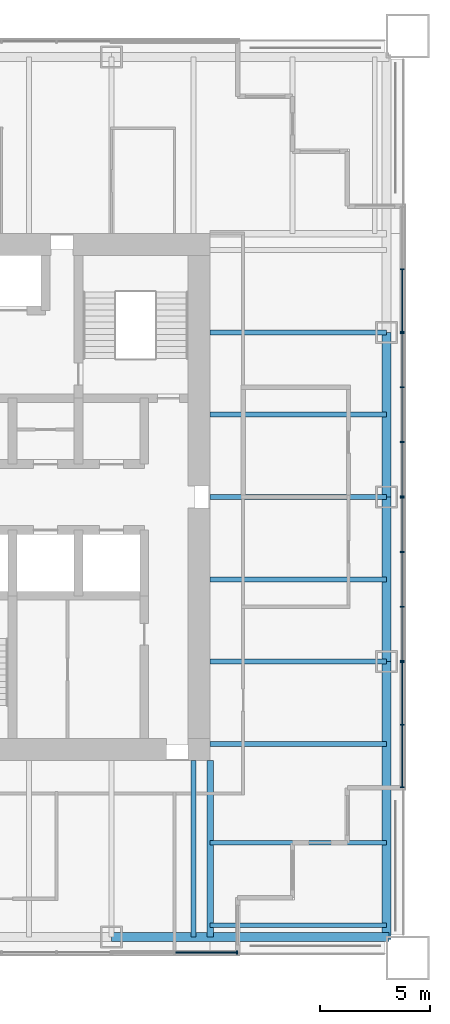
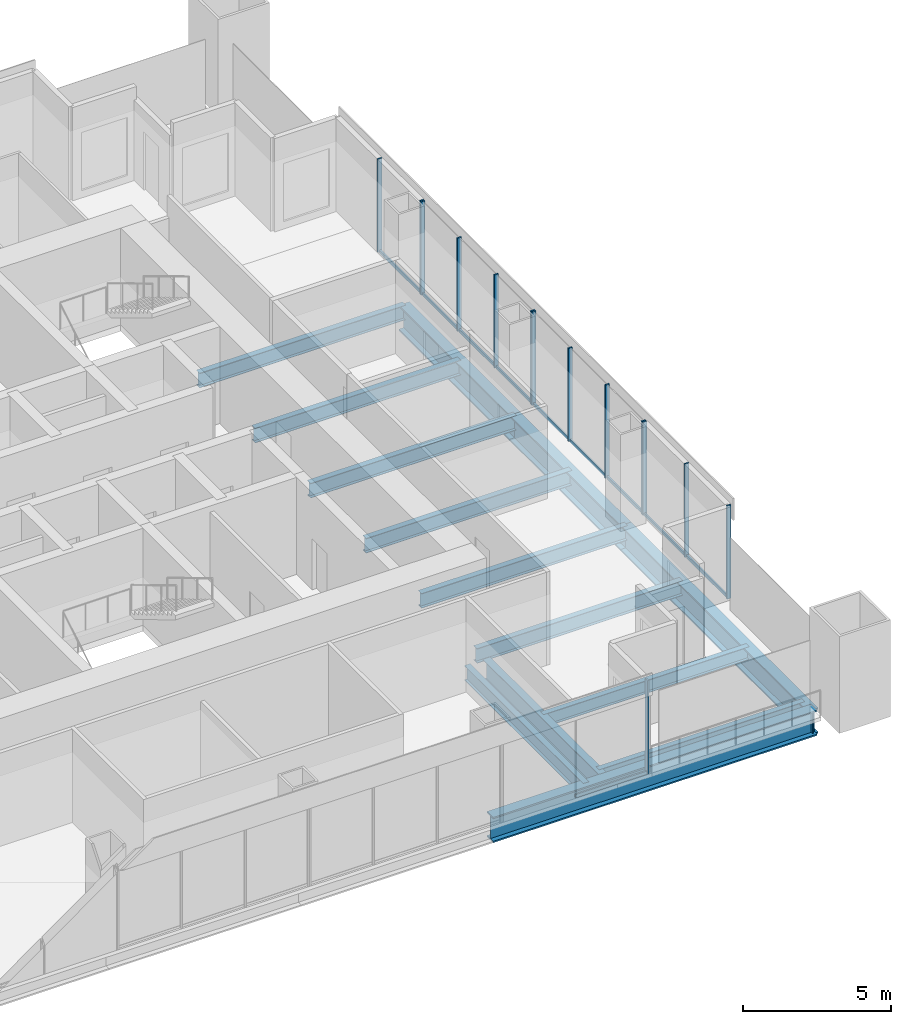
# One storey, part 5 of 14: 24 members, 14 beams, 5 elements without a shape of their own.
"""IFC4 building model written with IfcOpenShell, lengths in metres."""

from ifc_helpers import new_model, si_unit, direction, frame, origin, origin_2d, place, context, subcontext, project, spatial, rectangle, i_section, extrude, material, material_profile, profile_set, type_object, element, aggregate, save


model = new_model("IFC4")

# Units and contexts
model_context = context("Model", 3, precision=1e-05, world=origin(), true_north=direction((0.0, 1.0)))
body_context = subcontext(model_context, "Body", "Model", "MODEL_VIEW")
ifc_project = project(units=[si_unit("LENGTHUNIT", "METRE"), si_unit("AREAUNIT", "SQUARE_METRE"), si_unit("VOLUMEUNIT", "CUBIC_METRE"), si_unit("PLANEANGLEUNIT", "RADIAN"), si_unit("MASSUNIT", "GRAM", prefix="KILO")], contexts=[model_context])

# Site, building, storey
site_placement = place(None, origin())
site = spatial("IfcSite", under=ifc_project, at=site_placement, CompositionType="ELEMENT")
building_placement = place(site_placement, origin())
building = spatial("IfcBuilding", under=site, at=building_placement, Name="Tarangal Relay Tower", CompositionType="ELEMENT")
storey_placement = place(building_placement, frame((0.0, 0.0, 287.89990234375)))
storey = spatial("IfcBuildingStorey", under=building, at=storey_placement, Name="L63", CompositionType="ELEMENT", Elevation=287.89990234375)

# Beams
ifc_material_1 = material(Name="Steel ASTM A992", Category="steel")
ifc_material_profile_1 = material_profile(ifc_material_1, i_section(OverallWidth=0.209228515625, OverallDepth=0.533447265625, WebThickness=0.01025390625, FlangeThickness=0.015625, at=origin_2d()), Name="W21X62")
ifc_profile_set_1 = profile_set([ifc_material_profile_1], Name="Steel ASTM A992")
beam_type_1 = type_object("IfcBeamType", Name="Corner beam W21X62", PredefinedType="JOIST", material=ifc_profile_set_1)
for number, where, z_axis, x_axis, name in (
    (1, (12.0, -15.75, -0.41650390625), (1.0, 0.0, 0.0), (0.0, 1.0, 0.0), "Corner beam CB12 E L63"),
    (2, (12.0, -19.5, -0.41650390625), (1.0, 0.0, 0.0), (0.0, 1.0, 0.0), "Corner beam CB12 E L63"),
):
    element("IfcBeam", number, at=place(storey_placement, frame(where, z_axis=z_axis, x_axis=x_axis)), inside=storey, type_object=beam_type_1, Name=name, PredefinedType="JOIST", context=body_context, shape_type="SweptSolid", body=[
        extrude(i_section(OverallWidth=0.209228515625, OverallDepth=0.533447265625, WebThickness=0.01025390625, FlangeThickness=0.015625, at=origin_2d()), origin(), (0.0, 0.0, 1.0), 8.0400390625),
    ])
ifc_material_profile_2 = material_profile(ifc_material_1, i_section(OverallWidth=0.2919921875, OverallDepth=0.8408203125, WebThickness=0.0146484375, FlangeThickness=0.021728515625, at=origin_2d()), Name="W33X130")
ifc_profile_set_2 = profile_set([ifc_material_profile_2], Name="Steel ASTM A992")
beam_type_2 = type_object("IfcBeamType", Name="Corner girder W33X130", PredefinedType="BEAM", material=ifc_profile_set_2)
beam_placement = place(storey_placement, frame((12.0, -12.0, -0.5703125), z_axis=(0.0, -1.0, 0.0), x_axis=(1.0, 0.0, 0.0)))
element("IfcBeam", 3, at=beam_placement, inside=storey, type_object=beam_type_2, Name="Corner girder CG5 E L63", PredefinedType="BEAM", context=body_context, shape_type="SweptSolid", body=[
    extrude(i_section(OverallWidth=0.2919921875, OverallDepth=0.8408203125, WebThickness=0.0146484375, FlangeThickness=0.021728515625, at=origin_2d()), origin(), (0.0, 0.0, 1.0), 8.0400390625),
])
ifc_material_profile_3 = material_profile(ifc_material_1, i_section(OverallWidth=0.41162109375, OverallDepth=1.049072265625, WebThickness=0.033935546875, FlangeThickness=0.059814453125, at=origin_2d()), Name="W40X431")
ifc_profile_set_3 = profile_set([ifc_material_profile_3], Name="Steel ASTM A992")
beam_type_3 = type_object("IfcBeamType", Name="Edge girder W40X431", PredefinedType="SPANDREL", material=ifc_profile_set_3)
for number, where, z_axis, x_axis, name in (
    (4, (20.0400390625, 7.5, -0.67431640625), (0.0, -1.0, 0.0), (1.0, 0.0, 0.0), "Edge girder EG1 E L63"),
    (5, (20.0400390625, 0.0, -0.67431640625), (0.0, -1.0, 0.0), (1.0, 0.0, 0.0), "Edge girder EG1 E L63"),
):
    element("IfcBeam", number, at=place(storey_placement, frame(where, z_axis=z_axis, x_axis=x_axis)), inside=storey, type_object=beam_type_3, Name=name, PredefinedType="SPANDREL", context=body_context, shape_type="SweptSolid", body=[
        extrude(i_section(OverallWidth=0.41162109375, OverallDepth=1.049072265625, WebThickness=0.033935546875, FlangeThickness=0.059814453125, at=origin_2d()), origin(), (0.0, 0.0, 1.0), 7.5),
    ])
for number, where, z_axis, x_axis, name in (
    (6, (20.0400390625, -7.5, -0.67431640625), (0.0, -1.0, 0.0), (1.0, 0.0, 0.0), "Edge girder EG1 E L63"),
    (7, (20.14990234375, -20.0400390625, -0.67431640625), (-1.0, 0.0, 0.0), (0.0, -1.0, 0.0), "Edge girder EG1 S L63"),
):
    element("IfcBeam", number, at=place(storey_placement, frame(where, z_axis=z_axis, x_axis=x_axis)), inside=storey, type_object=beam_type_3, Name=name, PredefinedType="SPANDREL", context=body_context, shape_type="SweptSolid", body=[
        extrude(i_section(OverallWidth=0.41162109375, OverallDepth=1.049072265625, WebThickness=0.033935546875, FlangeThickness=0.059814453125, at=origin_2d()), origin(), (0.0, 0.0, 1.0), 12.64990234375),
    ])
ifc_material_profile_4 = material_profile(ifc_material_1, i_section(OverallWidth=0.228271484375, OverallDepth=0.607177734375, WebThickness=0.01123046875, FlangeThickness=0.017333984375, at=origin_2d()), Name="W24X76")
ifc_profile_set_4 = profile_set([ifc_material_profile_4], Name="Steel ASTM A992")
beam_type_4 = type_object("IfcBeamType", Name="Floor beam W24X76", PredefinedType="BEAM", material=ifc_profile_set_4)
for number, where, z_axis, x_axis, name in (
    (8, (12.0, 7.5, -0.453369140625), (1.0, 0.0, 0.0), (0.0, 1.0, 0.0), "Floor beam RB5 E L63"),
    (9, (12.0, 3.75, -0.453369140625), (1.0, 0.0, 0.0), (0.0, 1.0, 0.0), "Floor beam RB5 E L63"),
    (10, (12.0, 0.0, -0.453369140625), (1.0, 0.0, 0.0), (0.0, 1.0, 0.0), "Floor beam RB5 E L63"),
    (11, (12.0, -3.75, -0.453369140625), (1.0, 0.0, 0.0), (0.0, 1.0, 0.0), "Floor beam RB5 E L63"),
    (12, (12.0, -7.5, -0.453369140625), (1.0, 0.0, 0.0), (0.0, 1.0, 0.0), "Floor beam RB5 E L63"),
    (13, (12.0, -11.25, -0.453369140625), (1.0, 0.0, 0.0), (0.0, 1.0, 0.0), "Floor beam RB5 E L63"),
    (14, (11.25, -12.0, -0.453369140625), (0.0, -1.0, 0.0), (1.0, 0.0, 0.0), "Floor beam RB5 S L63"),
):
    element("IfcBeam", number, at=place(storey_placement, frame(where, z_axis=z_axis, x_axis=x_axis)), inside=storey, type_object=beam_type_4, Name=name, PredefinedType="BEAM", context=body_context, shape_type="SweptSolid", body=[
        extrude(i_section(OverallWidth=0.228271484375, OverallDepth=0.607177734375, WebThickness=0.01123046875, FlangeThickness=0.017333984375, at=origin_2d()), origin(), (0.0, 0.0, 1.0), 8.0400390625),
    ])

# Curtain wall, members
ifc_material_2 = material(Name="Unitised curtain wall, dark glass and black aluminium", Category="aluminium")
curtain_wall_type_1 = type_object("IfcCurtainWallType", Name="Curtain wall CW-B", PredefinedType="USERDEFINED", material=ifc_material_2)
curtain_wall_1_placement = place(storey_placement, origin())
curtain_wall_1 = element("IfcCurtainWall", 15, at=curtain_wall_1_placement, inside=storey, type_object=curtain_wall_type_1, Name="Curtain wall CW-B E facade L63", ObjectType="UNITISED CURTAIN WALL", PredefinedType="USERDEFINED")
ifc_material_3 = material(Name="Black anodised aluminium mullion", Category="aluminium")
ifc_material_profile_5 = material_profile(ifc_material_3, rectangle(XDim=0.159912109375, YDim=0.06005859375, at=origin_2d()), Name="CW-BM 60X160")
ifc_profile_set_5 = profile_set([ifc_material_profile_5], Name="Black anodised aluminium mullion")
member_type_1 = type_object("IfcMemberType", Name="Mullion CW-B 60 x 160", PredefinedType="MULLION", material=ifc_profile_set_5)
member_1_placement = place(storey_placement, frame((20.75, 7.469970703125, 0.0), z_axis=(0.0, 0.0, 1.0), x_axis=(1.0, 0.0, 0.0)))
member_1 = element("IfcMember", 16, at=member_1_placement, type_object=member_type_1, Name="CW-B mullion 1", PredefinedType="MULLION", context=body_context, shape_type="SweptSolid", body=[
    extrude(rectangle(XDim=0.159912109375, YDim=0.06005859375, at=origin_2d()), origin(), (0.0, 0.0, 1.0), 3.85009765625),
])
member_2_placement = place(storey_placement, frame((20.75, 5.0, 0.0), z_axis=(0.0, 0.0, 1.0), x_axis=(1.0, 0.0, 0.0)))
member_2 = element("IfcMember", 17, at=member_2_placement, type_object=member_type_1, Name="CW-B mullion 2", PredefinedType="MULLION", context=body_context, shape_type="SweptSolid", body=[
    extrude(rectangle(XDim=0.159912109375, YDim=0.06005859375, at=origin_2d()), origin(), (0.0, 0.0, 1.0), 3.85009765625),
])
member_3_placement = place(storey_placement, frame((20.75, 2.5, 0.0), z_axis=(0.0, 0.0, 1.0), x_axis=(1.0, 0.0, 0.0)))
member_3 = element("IfcMember", 18, at=member_3_placement, type_object=member_type_1, Name="CW-B mullion 3", PredefinedType="MULLION", context=body_context, shape_type="SweptSolid", body=[
    extrude(rectangle(XDim=0.159912109375, YDim=0.06005859375, at=origin_2d()), origin(), (0.0, 0.0, 1.0), 3.85009765625),
])
member_4_placement = place(storey_placement, frame((20.75, 0.030029296875, 0.0), z_axis=(0.0, 0.0, 1.0), x_axis=(1.0, 0.0, 0.0)))
member_4 = element("IfcMember", 19, at=member_4_placement, type_object=member_type_1, Name="CW-B mullion 4", PredefinedType="MULLION", context=body_context, shape_type="SweptSolid", body=[
    extrude(rectangle(XDim=0.159912109375, YDim=0.06005859375, at=origin_2d()), origin(), (0.0, 0.0, 1.0), 3.85009765625),
])

curtain_wall_2_placement = place(storey_placement, origin())
curtain_wall_2 = element("IfcCurtainWall", 20, at=curtain_wall_2_placement, inside=storey, type_object=curtain_wall_type_1, Name="Curtain wall CW-B E facade L63", ObjectType="UNITISED CURTAIN WALL", PredefinedType="USERDEFINED")
member_5_placement = place(storey_placement, frame((20.75, -0.030029296875, 0.0), z_axis=(0.0, 0.0, 1.0), x_axis=(1.0, 0.0, 0.0)))
member_5 = element("IfcMember", 21, at=member_5_placement, type_object=member_type_1, Name="CW-B mullion 1", PredefinedType="MULLION", context=body_context, shape_type="SweptSolid", body=[
    extrude(rectangle(XDim=0.159912109375, YDim=0.06005859375, at=origin_2d()), origin(), (0.0, 0.0, 1.0), 3.85009765625),
])
member_6_placement = place(storey_placement, frame((20.75, -2.5, 0.0), z_axis=(0.0, 0.0, 1.0), x_axis=(1.0, 0.0, 0.0)))
member_6 = element("IfcMember", 22, at=member_6_placement, type_object=member_type_1, Name="CW-B mullion 2", PredefinedType="MULLION", context=body_context, shape_type="SweptSolid", body=[
    extrude(rectangle(XDim=0.159912109375, YDim=0.06005859375, at=origin_2d()), origin(), (0.0, 0.0, 1.0), 3.85009765625),
])
member_7_placement = place(storey_placement, frame((20.75, -5.0, 0.0), z_axis=(0.0, 0.0, 1.0), x_axis=(1.0, 0.0, 0.0)))
member_7 = element("IfcMember", 23, at=member_7_placement, type_object=member_type_1, Name="CW-B mullion 3", PredefinedType="MULLION", context=body_context, shape_type="SweptSolid", body=[
    extrude(rectangle(XDim=0.159912109375, YDim=0.06005859375, at=origin_2d()), origin(), (0.0, 0.0, 1.0), 3.85009765625),
])
member_8_placement = place(storey_placement, frame((20.75, -7.469970703125, 0.0), z_axis=(0.0, 0.0, 1.0), x_axis=(1.0, 0.0, 0.0)))
member_8 = element("IfcMember", 24, at=member_8_placement, type_object=member_type_1, Name="CW-B mullion 4", PredefinedType="MULLION", context=body_context, shape_type="SweptSolid", body=[
    extrude(rectangle(XDim=0.159912109375, YDim=0.06005859375, at=origin_2d()), origin(), (0.0, 0.0, 1.0), 3.85009765625),
])

ifc_material_4 = material(Name="Unitised curtain wall frame, black aluminium, with metal clad infill walls", Category="aluminium")
curtain_wall_type_2 = type_object("IfcCurtainWallType", Name="Curtain wall CW-BO", PredefinedType="USERDEFINED", material=ifc_material_4)
curtain_wall_3_placement = place(storey_placement, origin())
curtain_wall_3 = element("IfcCurtainWall", 25, at=curtain_wall_3_placement, inside=storey, type_object=curtain_wall_type_2, Name="Curtain wall CW-BO E facade L63", ObjectType="UNITISED CURTAIN WALL", PredefinedType="USERDEFINED")
ifc_material_profile_6 = material_profile(ifc_material_3, rectangle(XDim=0.159912109375, YDim=0.06005859375, at=origin_2d()), Name="CW-BOM 60X160")
ifc_profile_set_6 = profile_set([ifc_material_profile_6], Name="Black anodised aluminium mullion")
member_type_2 = type_object("IfcMemberType", Name="Mullion CW-BO 60 x 160", PredefinedType="MULLION", material=ifc_profile_set_6)
member_9_placement = place(storey_placement, frame((20.75, 10.375, 0.0), z_axis=(0.0, 0.0, 1.0), x_axis=(1.0, 0.0, 0.0)))
member_9 = element("IfcMember", 26, at=member_9_placement, type_object=member_type_2, Name="CW-BO mullion 2", PredefinedType="MULLION", context=body_context, shape_type="SweptSolid", body=[
    extrude(rectangle(XDim=0.159912109375, YDim=0.06005859375, at=origin_2d()), origin(), (0.0, 0.0, 1.0), 3.85009765625),
])
member_10_placement = place(storey_placement, frame((20.75, 7.530029296875, 0.0), z_axis=(0.0, 0.0, 1.0), x_axis=(1.0, 0.0, 0.0)))
member_10 = element("IfcMember", 27, at=member_10_placement, type_object=member_type_2, Name="CW-BO mullion 3", PredefinedType="MULLION", context=body_context, shape_type="SweptSolid", body=[
    extrude(rectangle(XDim=0.159912109375, YDim=0.06005859375, at=origin_2d()), origin(), (0.0, 0.0, 1.0), 3.85009765625),
])

curtain_wall_4_placement = place(storey_placement, origin())
curtain_wall_4 = element("IfcCurtainWall", 28, at=curtain_wall_4_placement, inside=storey, type_object=curtain_wall_type_2, Name="Curtain wall CW-BO E facade L63", ObjectType="UNITISED CURTAIN WALL", PredefinedType="USERDEFINED")
member_11_placement = place(storey_placement, frame((20.75, -7.530029296875, 0.0), z_axis=(0.0, 0.0, 1.0), x_axis=(1.0, 0.0, 0.0)))
member_11 = element("IfcMember", 29, at=member_11_placement, type_object=member_type_2, Name="CW-BO mullion 1", PredefinedType="MULLION", context=body_context, shape_type="SweptSolid", body=[
    extrude(rectangle(XDim=0.159912109375, YDim=0.06005859375, at=origin_2d()), origin(), (0.0, 0.0, 1.0), 3.85009765625),
])
member_12_placement = place(storey_placement, frame((20.75, -10.375, 0.0), z_axis=(0.0, 0.0, 1.0), x_axis=(1.0, 0.0, 0.0)))
member_12 = element("IfcMember", 30, at=member_12_placement, type_object=member_type_2, Name="CW-BO mullion 2", PredefinedType="MULLION", context=body_context, shape_type="SweptSolid", body=[
    extrude(rectangle(XDim=0.159912109375, YDim=0.06005859375, at=origin_2d()), origin(), (0.0, 0.0, 1.0), 3.85009765625),
])
member_13_placement = place(storey_placement, frame((20.75, -13.219970703125, 0.0), z_axis=(0.0, 0.0, 1.0), x_axis=(1.0, 0.0, 0.0)))
member_13 = element("IfcMember", 31, at=member_13_placement, type_object=member_type_2, Name="CW-BO mullion 3", PredefinedType="MULLION", context=body_context, shape_type="SweptSolid", body=[
    extrude(rectangle(XDim=0.159912109375, YDim=0.06005859375, at=origin_2d()), origin(), (0.0, 0.0, 1.0), 3.85009765625),
])

# Curtain wall, member
curtain_wall_5_placement = place(storey_placement, origin())
curtain_wall_5 = element("IfcCurtainWall", 32, at=curtain_wall_5_placement, inside=storey, type_object=curtain_wall_type_2, Name="Curtain wall CW-BO S facade L63", ObjectType="UNITISED CURTAIN WALL", PredefinedType="USERDEFINED")
member_14_placement = place(storey_placement, frame((13.219970703125, -20.75, 0.0), z_axis=(0.0, 0.0, 1.0), x_axis=(0.0, -1.0, 0.0)))
member_14 = element("IfcMember", 33, at=member_14_placement, type_object=member_type_2, Name="CW-BO mullion 1", PredefinedType="MULLION", context=body_context, shape_type="SweptSolid", body=[
    extrude(rectangle(XDim=0.159912109375, YDim=0.06005859375, at=origin_2d()), origin(), (0.0, 0.0, 1.0), 3.85009765625),
])

# Member
ifc_material_5 = material(Name="Black anodised aluminium transom", Category="aluminium")
ifc_material_profile_7 = material_profile(ifc_material_5, rectangle(XDim=0.06005859375, YDim=0.1298828125, at=origin_2d()), Name="CW-BT 60X130")
ifc_profile_set_7 = profile_set([ifc_material_profile_7], Name="Black anodised aluminium transom")
member_type_3 = type_object("IfcMemberType", Name="Transom CW-B 60 x 130", PredefinedType="USERDEFINED", material=ifc_profile_set_7)
member_15_placement = place(storey_placement, frame((20.75, 7.43994140625, 0.030029296875), z_axis=(0.0, -1.0, 0.0), x_axis=(1.0, 0.0, 0.0)))
member_15 = element("IfcMember", 34, at=member_15_placement, type_object=member_type_3, Name="CW-B transom 1.1", ObjectType="TRANSOM", PredefinedType="USERDEFINED", context=body_context, shape_type="SweptSolid", body=[
    extrude(rectangle(XDim=0.06005859375, YDim=0.1298828125, at=origin_2d()), origin(), (0.0, 0.0, 1.0), 2.409912109375),
])

member_16_placement = place(storey_placement, frame((20.75, 4.969970703125, 0.030029296875), z_axis=(0.0, -1.0, 0.0), x_axis=(1.0, 0.0, 0.0)))
member_16 = element("IfcMember", 35, at=member_16_placement, type_object=member_type_3, Name="CW-B transom 2.1", ObjectType="TRANSOM", PredefinedType="USERDEFINED", context=body_context, shape_type="SweptSolid", body=[
    extrude(rectangle(XDim=0.06005859375, YDim=0.1298828125, at=origin_2d()), origin(), (0.0, 0.0, 1.0), 2.43994140625),
])

member_17_placement = place(storey_placement, frame((20.75, 2.469970703125, 0.030029296875), z_axis=(0.0, -1.0, 0.0), x_axis=(1.0, 0.0, 0.0)))
member_17 = element("IfcMember", 36, at=member_17_placement, type_object=member_type_3, Name="CW-B transom 3.1", ObjectType="TRANSOM", PredefinedType="USERDEFINED", context=body_context, shape_type="SweptSolid", body=[
    extrude(rectangle(XDim=0.06005859375, YDim=0.1298828125, at=origin_2d()), origin(), (0.0, 0.0, 1.0), 2.409912109375),
])

aggregate(curtain_wall_1, [member_1, member_2, member_3, member_4, member_15, member_16, member_17])

member_18_placement = place(storey_placement, frame((20.75, -0.06005859375, 0.030029296875), z_axis=(0.0, -1.0, 0.0), x_axis=(1.0, 0.0, 0.0)))
member_18 = element("IfcMember", 37, at=member_18_placement, type_object=member_type_3, Name="CW-B transom 1.1", ObjectType="TRANSOM", PredefinedType="USERDEFINED", context=body_context, shape_type="SweptSolid", body=[
    extrude(rectangle(XDim=0.06005859375, YDim=0.1298828125, at=origin_2d()), origin(), (0.0, 0.0, 1.0), 2.409912109375),
])

member_19_placement = place(storey_placement, frame((20.75, -2.530029296875, 0.030029296875), z_axis=(0.0, -1.0, 0.0), x_axis=(1.0, 0.0, 0.0)))
member_19 = element("IfcMember", 38, at=member_19_placement, type_object=member_type_3, Name="CW-B transom 2.1", ObjectType="TRANSOM", PredefinedType="USERDEFINED", context=body_context, shape_type="SweptSolid", body=[
    extrude(rectangle(XDim=0.06005859375, YDim=0.1298828125, at=origin_2d()), origin(), (0.0, 0.0, 1.0), 2.43994140625),
])

member_20_placement = place(storey_placement, frame((20.75, -5.030029296875, 0.030029296875), z_axis=(0.0, -1.0, 0.0), x_axis=(1.0, 0.0, 0.0)))
member_20 = element("IfcMember", 39, at=member_20_placement, type_object=member_type_3, Name="CW-B transom 3.1", ObjectType="TRANSOM", PredefinedType="USERDEFINED", context=body_context, shape_type="SweptSolid", body=[
    extrude(rectangle(XDim=0.06005859375, YDim=0.1298828125, at=origin_2d()), origin(), (0.0, 0.0, 1.0), 2.409912109375),
])

aggregate(curtain_wall_2, [member_5, member_6, member_7, member_8, member_18, member_19, member_20])

ifc_material_profile_8 = material_profile(ifc_material_5, rectangle(XDim=0.06005859375, YDim=0.1298828125, at=origin_2d()), Name="CW-BOT 60X130")
ifc_profile_set_8 = profile_set([ifc_material_profile_8], Name="Black anodised aluminium transom")
member_type_4 = type_object("IfcMemberType", Name="Transom CW-BO 60 x 130", PredefinedType="USERDEFINED", material=ifc_profile_set_8)
member_21_placement = place(storey_placement, frame((20.75, 10.344970703125, 0.030029296875), z_axis=(0.0, -1.0, 0.0), x_axis=(1.0, 0.0, 0.0)))
member_21 = element("IfcMember", 40, at=member_21_placement, type_object=member_type_4, Name="CW-BO transom 2.1", ObjectType="TRANSOM", PredefinedType="USERDEFINED", context=body_context, shape_type="SweptSolid", body=[
    extrude(rectangle(XDim=0.06005859375, YDim=0.1298828125, at=origin_2d()), origin(), (0.0, 0.0, 1.0), 2.784912109375),
])

aggregate(curtain_wall_3, [member_9, member_10, member_21])

member_22_placement = place(storey_placement, frame((20.75, -7.56005859375, 0.030029296875), z_axis=(0.0, -1.0, 0.0), x_axis=(1.0, 0.0, 0.0)))
member_22 = element("IfcMember", 41, at=member_22_placement, type_object=member_type_4, Name="CW-BO transom 1.1", ObjectType="TRANSOM", PredefinedType="USERDEFINED", context=body_context, shape_type="SweptSolid", body=[
    extrude(rectangle(XDim=0.06005859375, YDim=0.1298828125, at=origin_2d()), origin(), (0.0, 0.0, 1.0), 2.784912109375),
])

member_23_placement = place(storey_placement, frame((20.75, -10.405029296875, 0.030029296875), z_axis=(0.0, -1.0, 0.0), x_axis=(1.0, 0.0, 0.0)))
member_23 = element("IfcMember", 42, at=member_23_placement, type_object=member_type_4, Name="CW-BO transom 2.1", ObjectType="TRANSOM", PredefinedType="USERDEFINED", context=body_context, shape_type="SweptSolid", body=[
    extrude(rectangle(XDim=0.06005859375, YDim=0.1298828125, at=origin_2d()), origin(), (0.0, 0.0, 1.0), 2.784912109375),
])

aggregate(curtain_wall_4, [member_11, member_12, member_13, member_22, member_23])

member_24_placement = place(storey_placement, frame((13.18994140625, -20.75, 0.030029296875), z_axis=(-1.0, 0.0, 0.0), x_axis=(0.0, -1.0, 0.0)))
member_24 = element("IfcMember", 43, at=member_24_placement, type_object=member_type_4, Name="CW-BO transom 1.1", ObjectType="TRANSOM", PredefinedType="USERDEFINED", context=body_context, shape_type="SweptSolid", body=[
    extrude(rectangle(XDim=0.06005859375, YDim=0.1298828125, at=origin_2d()), origin(), (0.0, 0.0, 1.0), 2.784912109375),
])

aggregate(curtain_wall_5, [member_14, member_24])

save(model, "model.ifc")
